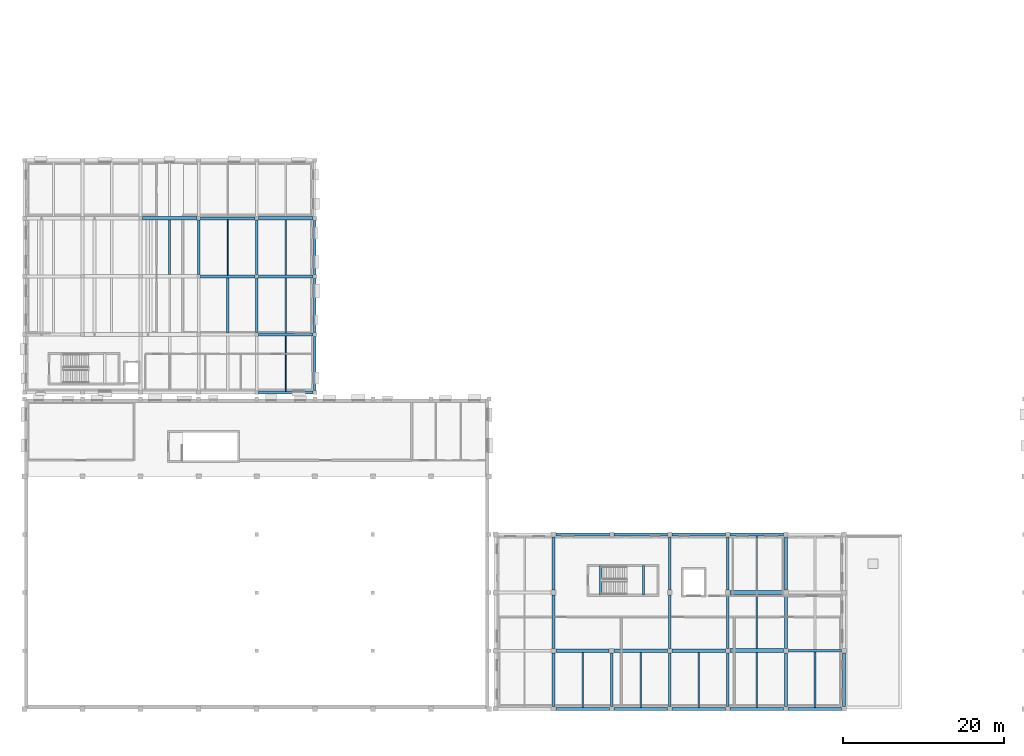
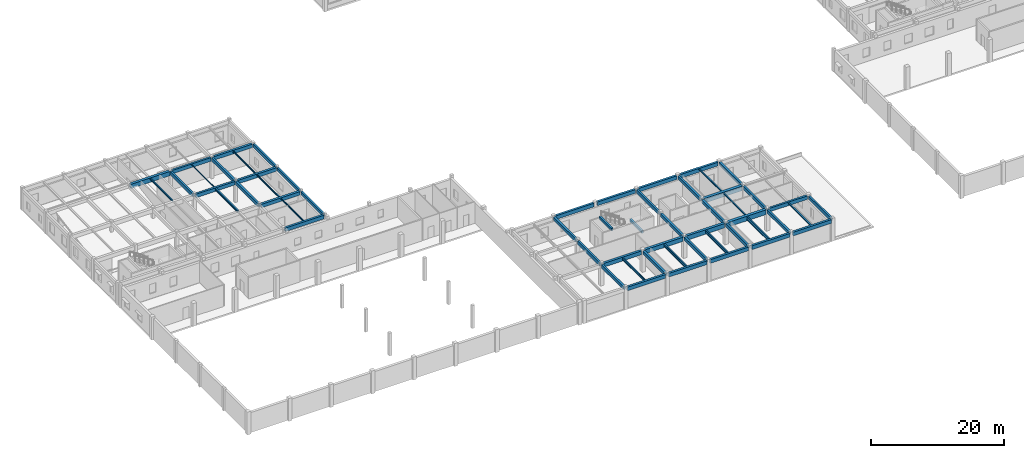
# One storey, part 6 of 49: 57 beams.
"""IFC4 building model written with IfcOpenShell, lengths in metres."""

from ifc_helpers import new_model, si_unit, direction, frame, origin, origin_2d, place, context, subcontext, project, spatial, rectangle, i_section, extrude, material, material_profile, profile_set, type_object, element, save


model = new_model("IFC4")

# Units and contexts
model_context = context("Model", 3, precision=1e-05, world=origin(), true_north=direction((0.0, 1.0)))
body_context = subcontext(model_context, "Body", "Model", "MODEL_VIEW")
ifc_project = project(units=[si_unit("LENGTHUNIT", "METRE"), si_unit("AREAUNIT", "SQUARE_METRE"), si_unit("VOLUMEUNIT", "CUBIC_METRE"), si_unit("PLANEANGLEUNIT", "RADIAN"), si_unit("MASSUNIT", "GRAM", prefix="KILO")], contexts=[model_context])

# Site, building, storey
site_placement = place(None, origin())
site = spatial("IfcSite", under=ifc_project, at=site_placement, CompositionType="ELEMENT")
building_placement = place(site_placement, origin())
building = spatial("IfcBuilding", under=site, at=building_placement, Name="Bramveld Media Centre", CompositionType="ELEMENT")
storey_placement = place(building_placement, frame((0.0, 0.0, 9.60009765625)))
storey = spatial("IfcBuildingStorey", under=building, at=storey_placement, Name="L02", CompositionType="ELEMENT", Elevation=9.60009765625)

# Beams
ifc_material_1 = material(Name="Concrete C40/50", Category="concrete")
ifc_material_profile_1 = material_profile(ifc_material_1, rectangle(XDim=0.300048828125, YDim=0.5, at=origin_2d()), Name="RC 300x500")
ifc_profile_set_1 = profile_set([ifc_material_profile_1], Name="Concrete C40/50")
beam_type_1 = type_object("IfcBeamType", Name="BM-INT-RC-300x500", PredefinedType="BEAM", material=ifc_profile_set_1)
for number, where, z_axis, x_axis, name in (
    (1, (71.449951171875, 14.10009765625, 3.949951171875), (0.0, 1.0, 0.0), (-1.0, 0.0, 0.0), "ST-06 L03 stairwell landing trimmer beam"),
    (2, (76.75, 14.10009765625, 1.64990234375), (0.0, 1.0, 0.0), (-1.0, 0.0, 0.0), "ST-06 L02 stairwell half-landing support beam"),
):
    element("IfcBeam", number, at=place(storey_placement, frame(where, z_axis=z_axis, x_axis=x_axis)), inside=storey, type_object=beam_type_1, Name=name, PredefinedType="BEAM", context=body_context, shape_type="SweptSolid", body=[
        extrude(rectangle(XDim=0.300048828125, YDim=0.5, at=origin_2d()), origin(), (0.0, 0.0, 1.0), 3.64990234375),
    ])
ifc_material_2 = material(Name="Concrete C40/50", Category="concrete")
ifc_material_profile_2 = material_profile(ifc_material_2, rectangle(XDim=0.35009765625, YDim=0.60009765625, at=origin_2d()), Name="RC 350x600")
ifc_profile_set_2 = profile_set([ifc_material_profile_2], Name="Concrete C40/50")
beam_type_2 = type_object("IfcBeamType", Name="BM-INT-RC-350x600", PredefinedType="BEAM", material=ifc_profile_set_2)
for number, where, z_axis, x_axis, name in (
    (3, (21.60009765625, 53.824951171875, 3.64990234375), (0.0, 1.0, 0.0), (-1.0, 0.0, 0.0), "V3 L02 girder Y-361"),
    (4, (28.800048828125, 46.625, 3.64990234375), (0.0, 1.0, 0.0), (-1.0, 0.0, 0.0), "V3 L02 girder Y-364"),
    (5, (28.800048828125, 53.824951171875, 3.64990234375), (0.0, 1.0, 0.0), (-1.0, 0.0, 0.0), "V3 L02 girder Y-365"),
):
    element("IfcBeam", number, at=place(storey_placement, frame(where, z_axis=z_axis, x_axis=x_axis)), inside=storey, type_object=beam_type_2, Name=name, PredefinedType="BEAM", context=body_context, shape_type="SweptSolid", body=[
        extrude(rectangle(XDim=0.35009765625, YDim=0.60009765625, at=origin_2d()), origin(), (0.0, 0.0, 1.0), 6.75),
    ])
beam_1_placement = place(storey_placement, frame((65.60009765625, 0.2900390625, 3.659912109375), z_axis=(0.0, 1.0, 0.0), x_axis=(-1.0, 0.0, 0.0)))
element("IfcBeam", 6, at=beam_1_placement, inside=storey, type_object=beam_type_2, Name="V5 L02 girder Y-802", PredefinedType="BEAM", context=body_context, shape_type="SweptSolid", body=[
    extrude(rectangle(XDim=0.35009765625, YDim=0.60009765625, at=origin_2d()), origin(), (0.0, 0.0, 1.0), 6.60986328125),
])
beam_2_placement = place(storey_placement, frame((65.60009765625, 7.5, 3.659912109375), z_axis=(0.0, 1.0, 0.0), x_axis=(-1.0, 0.0, 0.0)))
element("IfcBeam", 7, at=beam_2_placement, inside=storey, type_object=beam_type_2, Name="V5 L02 girder Y-803", PredefinedType="BEAM", context=body_context, shape_type="SweptSolid", body=[
    extrude(rectangle(XDim=0.35009765625, YDim=0.60009765625, at=origin_2d()), origin(), (0.0, 0.0, 1.0), 6.60009765625),
])
beam_3_placement = place(storey_placement, frame((65.60009765625, 14.699951171875, 3.659912109375), z_axis=(0.0, 1.0, 0.0), x_axis=(-1.0, 0.0, 0.0)))
element("IfcBeam", 8, at=beam_3_placement, inside=storey, type_object=beam_type_2, Name="V5 L02 girder Y-804", PredefinedType="BEAM", context=body_context, shape_type="SweptSolid", body=[
    extrude(rectangle(XDim=0.35009765625, YDim=0.60009765625, at=origin_2d()), origin(), (0.0, 0.0, 1.0), 6.610107421875),
])
for number, where, z_axis, x_axis, name in (
    (9, (72.800048828125, 0.2900390625, 3.659912109375), (0.0, 1.0, 0.0), (-1.0, 0.0, 0.0), "V5 L02 girder Y-805"),
    (10, (80.0, 0.2900390625, 3.659912109375), (0.0, 1.0, 0.0), (-1.0, 0.0, 0.0), "V5 L02 girder Y-806"),
):
    element("IfcBeam", number, at=place(storey_placement, frame(where, z_axis=z_axis, x_axis=x_axis)), inside=storey, type_object=beam_type_2, Name=name, PredefinedType="BEAM", context=body_context, shape_type="SweptSolid", body=[
        extrude(rectangle(XDim=0.35009765625, YDim=0.60009765625, at=origin_2d()), origin(), (0.0, 0.0, 1.0), 6.60986328125),
    ])
beam_4_placement = place(storey_placement, frame((80.0, 7.5, 3.659912109375), z_axis=(0.0, 1.0, 0.0), x_axis=(-1.0, 0.0, 0.0)))
element("IfcBeam", 11, at=beam_4_placement, inside=storey, type_object=beam_type_2, Name="V5 L02 girder Y-807", PredefinedType="BEAM", context=body_context, shape_type="SweptSolid", body=[
    extrude(rectangle(XDim=0.35009765625, YDim=0.60009765625, at=origin_2d()), origin(), (0.0, 0.0, 1.0), 6.60009765625),
])
beam_5_placement = place(storey_placement, frame((80.0, 14.699951171875, 3.659912109375), z_axis=(0.0, 1.0, 0.0), x_axis=(-1.0, 0.0, 0.0)))
element("IfcBeam", 12, at=beam_5_placement, inside=storey, type_object=beam_type_2, Name="V5 L02 girder Y-808", PredefinedType="BEAM", context=body_context, shape_type="SweptSolid", body=[
    extrude(rectangle(XDim=0.35009765625, YDim=0.60009765625, at=origin_2d()), origin(), (0.0, 0.0, 1.0), 6.610107421875),
])
beam_6_placement = place(storey_placement, frame((87.199951171875, 0.2900390625, 3.659912109375), z_axis=(0.0, 1.0, 0.0), x_axis=(-1.0, 0.0, 0.0)))
element("IfcBeam", 13, at=beam_6_placement, inside=storey, type_object=beam_type_2, Name="V5 L02 girder Y-809", PredefinedType="BEAM", context=body_context, shape_type="SweptSolid", body=[
    extrude(rectangle(XDim=0.35009765625, YDim=0.60009765625, at=origin_2d()), origin(), (0.0, 0.0, 1.0), 6.60986328125),
])
beam_7_placement = place(storey_placement, frame((87.199951171875, 7.5, 3.659912109375), z_axis=(0.0, 1.0, 0.0), x_axis=(-1.0, 0.0, 0.0)))
element("IfcBeam", 14, at=beam_7_placement, inside=storey, type_object=beam_type_2, Name="V5 L02 girder Y-810", PredefinedType="BEAM", context=body_context, shape_type="SweptSolid", body=[
    extrude(rectangle(XDim=0.35009765625, YDim=0.60009765625, at=origin_2d()), origin(), (0.0, 0.0, 1.0), 6.60009765625),
])
beam_8_placement = place(storey_placement, frame((87.199951171875, 14.699951171875, 3.659912109375), z_axis=(0.0, 1.0, 0.0), x_axis=(-1.0, 0.0, 0.0)))
element("IfcBeam", 15, at=beam_8_placement, inside=storey, type_object=beam_type_2, Name="V5 L02 girder Y-811", PredefinedType="BEAM", context=body_context, shape_type="SweptSolid", body=[
    extrude(rectangle(XDim=0.35009765625, YDim=0.60009765625, at=origin_2d()), origin(), (0.0, 0.0, 1.0), 6.610107421875),
])
beam_9_placement = place(storey_placement, frame((94.39990234375, 0.2900390625, 3.659912109375), z_axis=(0.0, 1.0, 0.0), x_axis=(-1.0, 0.0, 0.0)))
element("IfcBeam", 16, at=beam_9_placement, inside=storey, type_object=beam_type_2, Name="V5 L02 girder Y-812", PredefinedType="BEAM", context=body_context, shape_type="SweptSolid", body=[
    extrude(rectangle(XDim=0.35009765625, YDim=0.60009765625, at=origin_2d()), origin(), (0.0, 0.0, 1.0), 6.60986328125),
])
beam_10_placement = place(storey_placement, frame((94.39990234375, 7.5, 3.659912109375), z_axis=(0.0, 1.0, 0.0), x_axis=(-1.0, 0.0, 0.0)))
element("IfcBeam", 17, at=beam_10_placement, inside=storey, type_object=beam_type_2, Name="V5 L02 girder Y-813", PredefinedType="BEAM", context=body_context, shape_type="SweptSolid", body=[
    extrude(rectangle(XDim=0.35009765625, YDim=0.60009765625, at=origin_2d()), origin(), (0.0, 0.0, 1.0), 6.60009765625),
])
beam_11_placement = place(storey_placement, frame((94.39990234375, 14.699951171875, 3.659912109375), z_axis=(0.0, 1.0, 0.0), x_axis=(-1.0, 0.0, 0.0)))
element("IfcBeam", 18, at=beam_11_placement, inside=storey, type_object=beam_type_2, Name="V5 L02 girder Y-814", PredefinedType="BEAM", context=body_context, shape_type="SweptSolid", body=[
    extrude(rectangle(XDim=0.35009765625, YDim=0.60009765625, at=origin_2d()), origin(), (0.0, 0.0, 1.0), 6.610107421875),
])
ifc_material_3 = material(Name="Concrete C40/50", Category="concrete")
ifc_material_profile_3 = material_profile(ifc_material_3, rectangle(XDim=0.35009765625, YDim=0.64990234375, at=origin_2d()), Name="RC 350x650")
ifc_profile_set_3 = profile_set([ifc_material_profile_3], Name="Concrete C40/50")
beam_type_3 = type_object("IfcBeamType", Name="BM-INT-RC-350x650", PredefinedType="BEAM", material=ifc_profile_set_3)
for number, where, z_axis, x_axis, name in (
    (19, (21.824951171875, 53.60009765625, 3.625), (1.0, 0.0, 0.0), (0.0, 1.0, 0.0), "V3 L02 girder X-336"),
    (20, (21.824951171875, 60.800048828125, 3.625), (1.0, 0.0, 0.0), (0.0, 1.0, 0.0), "V3 L02 girder X-341"),
):
    element("IfcBeam", number, at=place(storey_placement, frame(where, z_axis=z_axis, x_axis=x_axis)), inside=storey, type_object=beam_type_3, Name=name, PredefinedType="BEAM", context=body_context, shape_type="SweptSolid", body=[
        extrude(rectangle(XDim=0.35009765625, YDim=0.64990234375, at=origin_2d()), origin(), (0.0, 0.0, 1.0), 6.75),
    ])
beam_12_placement = place(storey_placement, frame((94.699951171875, 7.199951171875, 3.635009765625), z_axis=(1.0, 0.0, 0.0), x_axis=(0.0, 1.0, 0.0)))
element("IfcBeam", 21, at=beam_12_placement, inside=storey, type_object=beam_type_3, Name="V5 L02 girder X-789", PredefinedType="BEAM", context=body_context, shape_type="SweptSolid", body=[
    extrude(rectangle(XDim=0.35009765625, YDim=0.64990234375, at=origin_2d()), origin(), (0.0, 0.0, 1.0), 6.610107421875),
])
ifc_material_4 = material(Name="Concrete C40/50", Category="concrete")
ifc_material_profile_4 = material_profile(ifc_material_4, rectangle(XDim=0.39990234375, YDim=0.64990234375, at=origin_2d()), Name="RC 400x650")
ifc_profile_set_4 = profile_set([ifc_material_profile_4], Name="Concrete C40/50")
beam_type_4 = type_object("IfcBeamType", Name="BM-INT-RC-400x650", PredefinedType="BEAM", material=ifc_profile_set_4)
for number, where, z_axis, x_axis, name in (
    (22, (29.02490234375, 46.39990234375, 3.635009765625), (1.0, 0.0, 0.0), (0.0, 1.0, 0.0), "V3 L02 girder X-332"),
    (23, (29.02490234375, 53.60009765625, 3.635009765625), (1.0, 0.0, 0.0), (0.0, 1.0, 0.0), "V3 L02 girder X-337"),
    (24, (29.02490234375, 60.800048828125, 3.625), (1.0, 0.0, 0.0), (0.0, 1.0, 0.0), "V3 L02 girder X-342"),
):
    element("IfcBeam", number, at=place(storey_placement, frame(where, z_axis=z_axis, x_axis=x_axis)), inside=storey, type_object=beam_type_4, Name=name, PredefinedType="BEAM", context=body_context, shape_type="SweptSolid", body=[
        extrude(rectangle(XDim=0.39990234375, YDim=0.64990234375, at=origin_2d()), origin(), (0.0, 0.0, 1.0), 6.735107421875),
    ])
ifc_material_5 = material(Name="Concrete C40/50", Category="concrete")
ifc_material_profile_5 = material_profile(ifc_material_5, rectangle(XDim=0.39990234375, YDim=0.699951171875, at=origin_2d()), Name="RC 400x700")
ifc_profile_set_5 = profile_set([ifc_material_profile_5], Name="Concrete C40/50")
beam_type_5 = type_object("IfcBeamType", Name="BM-INT-RC-400x700", PredefinedType="BEAM", material=ifc_profile_set_5)
beam_13_placement = place(storey_placement, frame((65.89990234375, 7.199951171875, 3.60986328125), z_axis=(1.0, 0.0, 0.0), x_axis=(0.0, 1.0, 0.0)))
element("IfcBeam", 25, at=beam_13_placement, inside=storey, type_object=beam_type_5, Name="V5 L02 girder X-785", PredefinedType="BEAM", context=body_context, shape_type="SweptSolid", body=[
    extrude(rectangle(XDim=0.39990234375, YDim=0.699951171875, at=origin_2d()), origin(), (0.0, 0.0, 1.0), 6.60009765625),
])
ifc_material_6 = material(Name="Concrete C40/50", Category="concrete")
ifc_material_profile_6 = material_profile(ifc_material_6, rectangle(XDim=0.449951171875, YDim=0.75, at=origin_2d()), Name="RC 450x750")
ifc_profile_set_6 = profile_set([ifc_material_profile_6], Name="Concrete C40/50")
beam_type_6 = type_object("IfcBeamType", Name="BM-INT-RC-450x750", PredefinedType="BEAM", material=ifc_profile_set_6)
beam_14_placement = place(storey_placement, frame((73.10009765625, 7.199951171875, 3.5849609375), z_axis=(1.0, 0.0, 0.0), x_axis=(0.0, 1.0, 0.0)))
element("IfcBeam", 26, at=beam_14_placement, inside=storey, type_object=beam_type_6, Name="V5 L02 girder X-786", PredefinedType="BEAM", context=body_context, shape_type="SweptSolid", body=[
    extrude(rectangle(XDim=0.449951171875, YDim=0.75, at=origin_2d()), origin(), (0.0, 0.0, 1.0), 6.599853515625),
])
ifc_material_7 = material(Name="Concrete C40/50", Category="concrete")
ifc_material_profile_7 = material_profile(ifc_material_7, rectangle(XDim=0.449951171875, YDim=0.800048828125, at=origin_2d()), Name="RC 450x800")
ifc_profile_set_7 = profile_set([ifc_material_profile_7], Name="Concrete C40/50")
beam_type_7 = type_object("IfcBeamType", Name="BM-INT-RC-450x800", PredefinedType="BEAM", material=ifc_profile_set_7)
beam_15_placement = place(storey_placement, frame((14.625, 60.800048828125, 3.5498046875), z_axis=(1.0, 0.0, 0.0), x_axis=(0.0, 1.0, 0.0)))
element("IfcBeam", 27, at=beam_15_placement, inside=storey, type_object=beam_type_7, Name="V3 L02 girder X-340", PredefinedType="BEAM", context=body_context, shape_type="SweptSolid", body=[
    extrude(rectangle(XDim=0.449951171875, YDim=0.800048828125, at=origin_2d()), origin(), (0.0, 0.0, 1.0), 6.75),
])
beam_16_placement = place(storey_placement, frame((80.300048828125, 7.199951171875, 3.559814453125), z_axis=(1.0, 0.0, 0.0), x_axis=(0.0, 1.0, 0.0)))
element("IfcBeam", 28, at=beam_16_placement, inside=storey, type_object=beam_type_7, Name="V5 L02 girder X-787", PredefinedType="BEAM", context=body_context, shape_type="SweptSolid", body=[
    extrude(rectangle(XDim=0.449951171875, YDim=0.800048828125, at=origin_2d()), origin(), (0.0, 0.0, 1.0), 6.599853515625),
])
ifc_material_8 = material(Name="Concrete C40/50", Category="concrete")
ifc_material_profile_8 = material_profile(ifc_material_8, rectangle(XDim=0.5, YDim=0.85009765625, at=origin_2d()), Name="RC 500x850")
ifc_profile_set_8 = profile_set([ifc_material_profile_8], Name="Concrete C40/50")
beam_type_8 = type_object("IfcBeamType", Name="BM-INT-RC-500x850", PredefinedType="BEAM", material=ifc_profile_set_8)
for number, where, z_axis, x_axis, name in (
    (29, (87.5, 7.199951171875, 3.534912109375), (1.0, 0.0, 0.0), (0.0, 1.0, 0.0), "V5 L02 girder X-788"),
    (30, (87.5, 14.39990234375, 3.534912109375), (1.0, 0.0, 0.0), (0.0, 1.0, 0.0), "V5 L02 girder X-791"),
):
    element("IfcBeam", number, at=place(storey_placement, frame(where, z_axis=z_axis, x_axis=x_axis)), inside=storey, type_object=beam_type_8, Name=name, PredefinedType="BEAM", context=body_context, shape_type="SweptSolid", body=[
        extrude(rectangle(XDim=0.5, YDim=0.85009765625, at=origin_2d()), origin(), (0.0, 0.0, 1.0), 6.60009765625),
    ])
ifc_material_9 = material(Name="Steel S355J2", Category="steel")
ifc_material_profile_9 = material_profile(ifc_material_9, i_section(OverallWidth=0.179931640625, OverallDepth=0.1708984375, WebThickness=0.006103515625, FlangeThickness=0.009521484375, FilletRadius=0.014892578125, at=origin_2d()), Name="HEA 180")
ifc_profile_set_9 = profile_set([ifc_material_profile_9], Name="Steel S355J2")
beam_type_9 = type_object("IfcBeamType", Name="SBM-INT-HEA-180", PredefinedType="BEAM", material=ifc_profile_set_9)
beam_17_placement = place(storey_placement, frame((90.800048828125, 7.449951171875, 3.87451171875), z_axis=(0.0, 1.0, 0.0), x_axis=(-1.0, 0.0, 0.0)))
element("IfcBeam", 31, at=beam_17_placement, inside=storey, type_object=beam_type_9, Name="V5 L02 secondary floor joist 825", PredefinedType="BEAM", context=body_context, shape_type="SweptSolid", body=[
    extrude(i_section(OverallWidth=0.179931640625, OverallDepth=0.1708984375, WebThickness=0.006103515625, FlangeThickness=0.009521484375, FilletRadius=0.014892578125, at=origin_2d()), origin(), (0.0, 0.0, 1.0), 6.699951171875),
])
ifc_material_10 = material(Name="Steel S355J2", Category="steel")
ifc_material_profile_10 = material_profile(ifc_material_10, i_section(OverallWidth=0.199951171875, OverallDepth=0.18994140625, WebThickness=0.006591796875, FlangeThickness=0.010009765625, FilletRadius=0.01806640625, at=origin_2d()), Name="HEA 200")
ifc_profile_set_10 = profile_set([ifc_material_profile_10], Name="Steel S355J2")
beam_type_10 = type_object("IfcBeamType", Name="SBM-INT-HEA-200", PredefinedType="BEAM", material=ifc_profile_set_10)
beam_18_placement = place(storey_placement, frame((90.800048828125, 14.64990234375, 3.864990234375), z_axis=(0.0, 1.0, 0.0), x_axis=(-1.0, 0.0, 0.0)))
element("IfcBeam", 32, at=beam_18_placement, inside=storey, type_object=beam_type_10, Name="V5 L02 secondary floor joist 826", PredefinedType="BEAM", context=body_context, shape_type="SweptSolid", body=[
    extrude(i_section(OverallWidth=0.199951171875, OverallDepth=0.18994140625, WebThickness=0.006591796875, FlangeThickness=0.010009765625, FilletRadius=0.01806640625, at=origin_2d()), origin(), (0.0, 0.0, 1.0), 6.760009765625),
])
ifc_material_11 = material(Name="Steel S355J2", Category="steel")
ifc_material_profile_11 = material_profile(ifc_material_11, i_section(OverallWidth=0.219970703125, OverallDepth=0.2099609375, WebThickness=0.007080078125, FlangeThickness=0.010986328125, FilletRadius=0.01806640625, at=origin_2d()), Name="HEA 220")
ifc_profile_set_11 = profile_set([ifc_material_profile_11], Name="Steel S355J2")
beam_type_11 = type_object("IfcBeamType", Name="SBM-INT-HEA-220", PredefinedType="BEAM", material=ifc_profile_set_11)
beam_19_placement = place(storey_placement, frame((98.0, 0.18994140625, 3.85498046875), z_axis=(0.0, 1.0, 0.0), x_axis=(-1.0, 0.0, 0.0)))
element("IfcBeam", 33, at=beam_19_placement, inside=storey, type_object=beam_type_11, Name="V5 L02 secondary floor joist 827", PredefinedType="BEAM", context=body_context, shape_type="SweptSolid", body=[
    extrude(i_section(OverallWidth=0.219970703125, OverallDepth=0.2099609375, WebThickness=0.007080078125, FlangeThickness=0.010986328125, FilletRadius=0.01806640625, at=origin_2d()), origin(), (0.0, 0.0, 1.0), 6.8349609375),
])
ifc_material_12 = material(Name="Steel S355J2", Category="steel")
ifc_material_profile_12 = material_profile(ifc_material_12, i_section(OverallWidth=0.219970703125, OverallDepth=0.219970703125, WebThickness=0.009521484375, FlangeThickness=0.01611328125, FilletRadius=0.01806640625, at=origin_2d()), Name="HEB 220")
ifc_profile_set_12 = profile_set([ifc_material_profile_12], Name="Steel S355J2")
beam_type_12 = type_object("IfcBeamType", Name="SBM-INT-HEB-220", PredefinedType="BEAM", material=ifc_profile_set_12)
beam_20_placement = place(storey_placement, frame((18.0, 53.824951171875, 3.83984375), z_axis=(0.0, 1.0, 0.0), x_axis=(-1.0, 0.0, 0.0)))
element("IfcBeam", 34, at=beam_20_placement, inside=storey, type_object=beam_type_12, Name="V3 L02 secondary floor joist 379", PredefinedType="BEAM", context=body_context, shape_type="SweptSolid", body=[
    extrude(i_section(OverallWidth=0.219970703125, OverallDepth=0.219970703125, WebThickness=0.009521484375, FlangeThickness=0.01611328125, FilletRadius=0.01806640625, at=origin_2d()), origin(), (0.0, 0.0, 1.0), 6.75),
])
ifc_material_13 = material(Name="Steel S355J2", Category="steel")
ifc_material_profile_13 = material_profile(ifc_material_13, i_section(OverallWidth=0.300048828125, OverallDepth=0.360107421875, WebThickness=0.012451171875, FlangeThickness=0.0224609375, FilletRadius=0.027099609375, at=origin_2d()), Name="HEB 360")
ifc_profile_set_13 = profile_set([ifc_material_profile_13], Name="Steel S355J2")
beam_type_13 = type_object("IfcBeamType", Name="SBM-INT-HEB-360", PredefinedType="BEAM", material=ifc_profile_set_13)
beam_21_placement = place(storey_placement, frame((25.199951171875, 46.574951171875, 3.77001953125), z_axis=(0.0, 1.0, 0.0), x_axis=(-1.0, 0.0, 0.0)))
element("IfcBeam", 35, at=beam_21_placement, inside=storey, type_object=beam_type_13, Name="V3 L02 secondary floor joist 382", PredefinedType="BEAM", context=body_context, shape_type="SweptSolid", body=[
    extrude(i_section(OverallWidth=0.300048828125, OverallDepth=0.360107421875, WebThickness=0.012451171875, FlangeThickness=0.0224609375, FilletRadius=0.027099609375, at=origin_2d()), origin(), (0.0, 0.0, 1.0), 6.85009765625),
])
ifc_material_14 = material(Name="Steel S355J2", Category="steel")
ifc_material_profile_14 = material_profile(ifc_material_14, i_section(OverallWidth=0.091064453125, OverallDepth=0.179931640625, WebThickness=0.00537109375, FlangeThickness=0.008056640625, FilletRadius=0.009033203125, at=origin_2d()), Name="IPE 180")
ifc_profile_set_14 = profile_set([ifc_material_profile_14], Name="Steel S355J2")
beam_type_14 = type_object("IfcBeamType", Name="SBM-INT-IPE-180", PredefinedType="JOIST", material=ifc_profile_set_14)
beam_22_placement = place(storey_placement, frame((25.199951171875, 53.77490234375, 3.85986328125), z_axis=(0.0, 1.0, 0.0), x_axis=(-1.0, 0.0, 0.0)))
element("IfcBeam", 36, at=beam_22_placement, inside=storey, type_object=beam_type_14, Name="V3 L02 secondary floor joist 383", PredefinedType="JOIST", context=body_context, shape_type="SweptSolid", body=[
    extrude(i_section(OverallWidth=0.091064453125, OverallDepth=0.179931640625, WebThickness=0.00537109375, FlangeThickness=0.008056640625, FilletRadius=0.009033203125, at=origin_2d()), origin(), (0.0, 0.0, 1.0), 6.85009765625),
])
ifc_material_15 = material(Name="Steel S355J2", Category="steel")
ifc_material_profile_15 = material_profile(ifc_material_15, i_section(OverallWidth=0.1201171875, OverallDepth=0.239990234375, WebThickness=0.006103515625, FlangeThickness=0.009765625, FilletRadius=0.014892578125, at=origin_2d()), Name="IPE 240")
ifc_profile_set_15 = profile_set([ifc_material_profile_15], Name="Steel S355J2")
beam_type_15 = type_object("IfcBeamType", Name="SBM-INT-IPE-240", PredefinedType="JOIST", material=ifc_profile_set_15)
beam_23_placement = place(storey_placement, frame((32.39990234375, 39.389892578125, 3.83984375), z_axis=(0.0, 1.0, 0.0), x_axis=(-1.0, 0.0, 0.0)))
element("IfcBeam", 37, at=beam_23_placement, inside=storey, type_object=beam_type_15, Name="V3 L02 secondary floor joist 385", PredefinedType="JOIST", context=body_context, shape_type="SweptSolid", body=[
    extrude(i_section(OverallWidth=0.1201171875, OverallDepth=0.239990234375, WebThickness=0.006103515625, FlangeThickness=0.009765625, FilletRadius=0.014892578125, at=origin_2d()), origin(), (0.0, 0.0, 1.0), 6.81005859375),
])
ifc_material_16 = material(Name="Steel S355J2", Category="steel")
ifc_material_profile_16 = material_profile(ifc_material_16, i_section(OverallWidth=0.135009765625, OverallDepth=0.27001953125, WebThickness=0.006591796875, FlangeThickness=0.01025390625, FilletRadius=0.014892578125, at=origin_2d()), Name="IPE 270")
ifc_profile_set_16 = profile_set([ifc_material_profile_16], Name="Steel S355J2")
beam_type_16 = type_object("IfcBeamType", Name="SBM-INT-IPE-270", PredefinedType="JOIST", material=ifc_profile_set_16)
beam_24_placement = place(storey_placement, frame((32.39990234375, 46.60009765625, 3.824951171875), z_axis=(0.0, 1.0, 0.0), x_axis=(-1.0, 0.0, 0.0)))
element("IfcBeam", 38, at=beam_24_placement, inside=storey, type_object=beam_type_16, Name="V3 L02 secondary floor joist 386", PredefinedType="JOIST", context=body_context, shape_type="SweptSolid", body=[
    extrude(i_section(OverallWidth=0.135009765625, OverallDepth=0.27001953125, WebThickness=0.006591796875, FlangeThickness=0.01025390625, FilletRadius=0.014892578125, at=origin_2d()), origin(), (0.0, 0.0, 1.0), 6.7998046875),
])
ifc_material_17 = material(Name="Steel S355J2", Category="steel")
ifc_material_profile_17 = material_profile(ifc_material_17, i_section(OverallWidth=0.14990234375, OverallDepth=0.300048828125, WebThickness=0.007080078125, FlangeThickness=0.0107421875, FilletRadius=0.014892578125, at=origin_2d()), Name="IPE 300")
ifc_profile_set_17 = profile_set([ifc_material_profile_17], Name="Steel S355J2")
beam_type_17 = type_object("IfcBeamType", Name="SBM-INT-IPE-300", PredefinedType="JOIST", material=ifc_profile_set_17)
beam_25_placement = place(storey_placement, frame((32.39990234375, 53.800048828125, 3.809814453125), z_axis=(0.0, 1.0, 0.0), x_axis=(-1.0, 0.0, 0.0)))
element("IfcBeam", 39, at=beam_25_placement, inside=storey, type_object=beam_type_17, Name="V3 L02 secondary floor joist 387", PredefinedType="JOIST", context=body_context, shape_type="SweptSolid", body=[
    extrude(i_section(OverallWidth=0.14990234375, OverallDepth=0.300048828125, WebThickness=0.007080078125, FlangeThickness=0.0107421875, FilletRadius=0.014892578125, at=origin_2d()), origin(), (0.0, 0.0, 1.0), 6.800048828125),
])
ifc_material_18 = material(Name="Steel S355J2", Category="steel")
ifc_material_profile_18 = material_profile(ifc_material_18, i_section(OverallWidth=0.18994140625, OverallDepth=0.449951171875, WebThickness=0.009521484375, FlangeThickness=0.0146484375, FilletRadius=0.02099609375, at=origin_2d()), Name="IPE 450")
ifc_profile_set_18 = profile_set([ifc_material_profile_18], Name="Steel S355J2")
beam_type_18 = type_object("IfcBeamType", Name="SBM-INT-IPE-450", PredefinedType="BEAM", material=ifc_profile_set_18)
beam_26_placement = place(storey_placement, frame((69.199951171875, 0.18994140625, 3.73486328125), z_axis=(0.0, 1.0, 0.0), x_axis=(-1.0, 0.0, 0.0)))
element("IfcBeam", 40, at=beam_26_placement, inside=storey, type_object=beam_type_18, Name="V5 L02 secondary floor joist 821", PredefinedType="BEAM", context=body_context, shape_type="SweptSolid", body=[
    extrude(i_section(OverallWidth=0.18994140625, OverallDepth=0.449951171875, WebThickness=0.009521484375, FlangeThickness=0.0146484375, FilletRadius=0.02099609375, at=origin_2d()), origin(), (0.0, 0.0, 1.0), 6.81005859375),
])
ifc_material_19 = material(Name="Steel S355J2", Category="steel")
ifc_material_profile_19 = material_profile(ifc_material_19, i_section(OverallWidth=0.199951171875, OverallDepth=0.5, WebThickness=0.01025390625, FlangeThickness=0.01611328125, FilletRadius=0.02099609375, at=origin_2d()), Name="IPE 500")
ifc_profile_set_19 = profile_set([ifc_material_profile_19], Name="Steel S355J2")
beam_type_19 = type_object("IfcBeamType", Name="SBM-INT-IPE-500", PredefinedType="BEAM", material=ifc_profile_set_19)
beam_27_placement = place(storey_placement, frame((76.39990234375, 0.18994140625, 3.7099609375), z_axis=(0.0, 1.0, 0.0), x_axis=(-1.0, 0.0, 0.0)))
element("IfcBeam", 41, at=beam_27_placement, inside=storey, type_object=beam_type_19, Name="V5 L02 secondary floor joist 822", PredefinedType="BEAM", context=body_context, shape_type="SweptSolid", body=[
    extrude(i_section(OverallWidth=0.199951171875, OverallDepth=0.5, WebThickness=0.01025390625, FlangeThickness=0.01611328125, FilletRadius=0.02099609375, at=origin_2d()), origin(), (0.0, 0.0, 1.0), 6.78515625),
])
ifc_material_20 = material(Name="Steel S355J2", Category="steel")
ifc_material_profile_20 = material_profile(ifc_material_20, i_section(OverallWidth=0.2099609375, OverallDepth=0.550048828125, WebThickness=0.010986328125, FlangeThickness=0.01708984375, FilletRadius=0.02392578125, at=origin_2d()), Name="IPE 550")
ifc_profile_set_20 = profile_set([ifc_material_profile_20], Name="Steel S355J2")
beam_type_20 = type_object("IfcBeamType", Name="SBM-INT-IPE-550", PredefinedType="BEAM", material=ifc_profile_set_20)
beam_28_placement = place(storey_placement, frame((83.60009765625, 0.18994140625, 3.684814453125), z_axis=(0.0, 1.0, 0.0), x_axis=(-1.0, 0.0, 0.0)))
element("IfcBeam", 42, at=beam_28_placement, inside=storey, type_object=beam_type_20, Name="V5 L02 secondary floor joist 823", PredefinedType="BEAM", context=body_context, shape_type="SweptSolid", body=[
    extrude(i_section(OverallWidth=0.2099609375, OverallDepth=0.550048828125, WebThickness=0.010986328125, FlangeThickness=0.01708984375, FilletRadius=0.02392578125, at=origin_2d()), origin(), (0.0, 0.0, 1.0), 6.78515625),
])
ifc_material_21 = material(Name="Steel S355J2", Category="steel")
ifc_material_profile_21 = material_profile(ifc_material_21, i_section(OverallWidth=0.219970703125, OverallDepth=0.60009765625, WebThickness=0.011962890625, FlangeThickness=0.01904296875, FilletRadius=0.02392578125, at=origin_2d()), Name="IPE 600")
ifc_profile_set_21 = profile_set([ifc_material_profile_21], Name="Steel S355J2")
beam_type_21 = type_object("IfcBeamType", Name="SBM-INT-IPE-600", PredefinedType="BEAM", material=ifc_profile_set_21)
beam_29_placement = place(storey_placement, frame((90.800048828125, 0.18994140625, 3.659912109375), z_axis=(0.0, 1.0, 0.0), x_axis=(-1.0, 0.0, 0.0)))
element("IfcBeam", 43, at=beam_29_placement, inside=storey, type_object=beam_type_21, Name="V5 L02 secondary floor joist 824", PredefinedType="BEAM", context=body_context, shape_type="SweptSolid", body=[
    extrude(i_section(OverallWidth=0.219970703125, OverallDepth=0.60009765625, WebThickness=0.011962890625, FlangeThickness=0.01904296875, FilletRadius=0.02392578125, at=origin_2d()), origin(), (0.0, 0.0, 1.0), 6.760009765625),
])
ifc_material_22 = material(Name="Concrete C40/50", Category="concrete")
ifc_material_profile_22 = material_profile(ifc_material_22, rectangle(XDim=0.320068359375, YDim=0.580078125, at=origin_2d()), Name="RC 320x580")
ifc_profile_set_22 = profile_set([ifc_material_profile_22], Name="Concrete C40/50")
beam_type_22 = type_object("IfcBeamType", Name="SPANDREL-EXT-RC-320x580", PredefinedType="SPANDREL", material=ifc_profile_set_22)
beam_30_placement = place(storey_placement, frame((36.0, 39.43994140625, 3.669921875), z_axis=(0.0, 1.0, 0.0), x_axis=(-1.0, 0.0, 0.0)))
element("IfcBeam", 44, at=beam_30_placement, inside=storey, type_object=beam_type_22, Name="V3 L02 girder Y-367", PredefinedType="SPANDREL", context=body_context, shape_type="SweptSolid", body=[
    extrude(rectangle(XDim=0.320068359375, YDim=0.580078125, at=origin_2d()), origin(), (0.0, 0.0, 1.0), 6.719970703125),
])
beam_31_placement = place(storey_placement, frame((36.0, 46.639892578125, 3.669921875), z_axis=(0.0, 1.0, 0.0), x_axis=(-1.0, 0.0, 0.0)))
element("IfcBeam", 45, at=beam_31_placement, inside=storey, type_object=beam_type_22, Name="V3 L02 girder Y-368", PredefinedType="SPANDREL", context=body_context, shape_type="SweptSolid", body=[
    extrude(rectangle(XDim=0.320068359375, YDim=0.580078125, at=origin_2d()), origin(), (0.0, 0.0, 1.0), 6.72021484375),
])
beam_32_placement = place(storey_placement, frame((36.0, 53.840087890625, 3.669921875), z_axis=(0.0, 1.0, 0.0), x_axis=(-1.0, 0.0, 0.0)))
element("IfcBeam", 46, at=beam_32_placement, inside=storey, type_object=beam_type_22, Name="V3 L02 girder Y-369", PredefinedType="SPANDREL", context=body_context, shape_type="SweptSolid", body=[
    extrude(rectangle(XDim=0.320068359375, YDim=0.580078125, at=origin_2d()), origin(), (0.0, 0.0, 1.0), 6.719970703125),
])
beam_33_placement = place(storey_placement, frame((101.60009765625, 0.2900390625, 3.669921875), z_axis=(0.0, 1.0, 0.0), x_axis=(-1.0, 0.0, 0.0)))
element("IfcBeam", 47, at=beam_33_placement, inside=storey, type_object=beam_type_22, Name="V5 L02 girder Y-815", PredefinedType="SPANDREL", context=body_context, shape_type="SweptSolid", body=[
    extrude(rectangle(XDim=0.320068359375, YDim=0.580078125, at=origin_2d()), origin(), (0.0, 0.0, 1.0), 6.619873046875),
])
ifc_material_23 = material(Name="Concrete C40/50", Category="concrete")
ifc_material_profile_23 = material_profile(ifc_material_23, rectangle(XDim=0.3798828125, YDim=0.679931640625, at=origin_2d()), Name="RC 380x680")
ifc_profile_set_23 = profile_set([ifc_material_profile_23], Name="Concrete C40/50")
beam_type_23 = type_object("IfcBeamType", Name="SPANDREL-EXT-RC-380x680", PredefinedType="SPANDREL", material=ifc_profile_set_23)
beam_34_placement = place(storey_placement, frame((29.0400390625, 39.199951171875, 3.619873046875), z_axis=(1.0, 0.0, 0.0), x_axis=(0.0, 1.0, 0.0)))
element("IfcBeam", 48, at=beam_34_placement, inside=storey, type_object=beam_type_23, Name="V3 L02 girder X-327", PredefinedType="SPANDREL", context=body_context, shape_type="SweptSolid", body=[
    extrude(rectangle(XDim=0.3798828125, YDim=0.679931640625, at=origin_2d()), origin(), (0.0, 0.0, 1.0), 6.719970703125),
])
beam_35_placement = place(storey_placement, frame((65.889892578125, 0.0, 3.619873046875), z_axis=(1.0, 0.0, 0.0), x_axis=(0.0, 1.0, 0.0)))
element("IfcBeam", 49, at=beam_35_placement, inside=storey, type_object=beam_type_23, Name="V5 L02 girder X-779", PredefinedType="SPANDREL", context=body_context, shape_type="SweptSolid", body=[
    extrude(rectangle(XDim=0.3798828125, YDim=0.679931640625, at=origin_2d()), origin(), (0.0, 0.0, 1.0), 6.6201171875),
])
for number, where, z_axis, x_axis, name in (
    (50, (73.090087890625, 0.0, 3.619873046875), (1.0, 0.0, 0.0), (0.0, 1.0, 0.0), "V5 L02 girder X-780"),
    (51, (80.2900390625, 0.0, 3.619873046875), (1.0, 0.0, 0.0), (0.0, 1.0, 0.0), "V5 L02 girder X-781"),
):
    element("IfcBeam", number, at=place(storey_placement, frame(where, z_axis=z_axis, x_axis=x_axis)), inside=storey, type_object=beam_type_23, Name=name, PredefinedType="SPANDREL", context=body_context, shape_type="SweptSolid", body=[
        extrude(rectangle(XDim=0.3798828125, YDim=0.679931640625, at=origin_2d()), origin(), (0.0, 0.0, 1.0), 6.619873046875),
    ])
for number, where, z_axis, x_axis, name in (
    (52, (87.489990234375, 0.0, 3.619873046875), (1.0, 0.0, 0.0), (0.0, 1.0, 0.0), "V5 L02 girder X-782"),
    (53, (94.68994140625, 0.0, 3.619873046875), (1.0, 0.0, 0.0), (0.0, 1.0, 0.0), "V5 L02 girder X-783"),
    (54, (65.889892578125, 21.60009765625, 3.619873046875), (1.0, 0.0, 0.0), (0.0, 1.0, 0.0), "V5 L02 girder X-794"),
):
    element("IfcBeam", number, at=place(storey_placement, frame(where, z_axis=z_axis, x_axis=x_axis)), inside=storey, type_object=beam_type_23, Name=name, PredefinedType="SPANDREL", context=body_context, shape_type="SweptSolid", body=[
        extrude(rectangle(XDim=0.3798828125, YDim=0.679931640625, at=origin_2d()), origin(), (0.0, 0.0, 1.0), 6.6201171875),
    ])
for number, where, z_axis, x_axis, name in (
    (55, (73.090087890625, 21.60009765625, 3.619873046875), (1.0, 0.0, 0.0), (0.0, 1.0, 0.0), "V5 L02 girder X-795"),
    (56, (80.2900390625, 21.60009765625, 3.619873046875), (1.0, 0.0, 0.0), (0.0, 1.0, 0.0), "V5 L02 girder X-796"),
):
    element("IfcBeam", number, at=place(storey_placement, frame(where, z_axis=z_axis, x_axis=x_axis)), inside=storey, type_object=beam_type_23, Name=name, PredefinedType="SPANDREL", context=body_context, shape_type="SweptSolid", body=[
        extrude(rectangle(XDim=0.3798828125, YDim=0.679931640625, at=origin_2d()), origin(), (0.0, 0.0, 1.0), 6.619873046875),
    ])
beam_36_placement = place(storey_placement, frame((87.489990234375, 21.60009765625, 3.619873046875), z_axis=(1.0, 0.0, 0.0), x_axis=(0.0, 1.0, 0.0)))
element("IfcBeam", 57, at=beam_36_placement, inside=storey, type_object=beam_type_23, Name="V5 L02 girder X-797", PredefinedType="SPANDREL", context=body_context, shape_type="SweptSolid", body=[
    extrude(rectangle(XDim=0.3798828125, YDim=0.679931640625, at=origin_2d()), origin(), (0.0, 0.0, 1.0), 6.6201171875),
])

save(model, "model.ifc")
